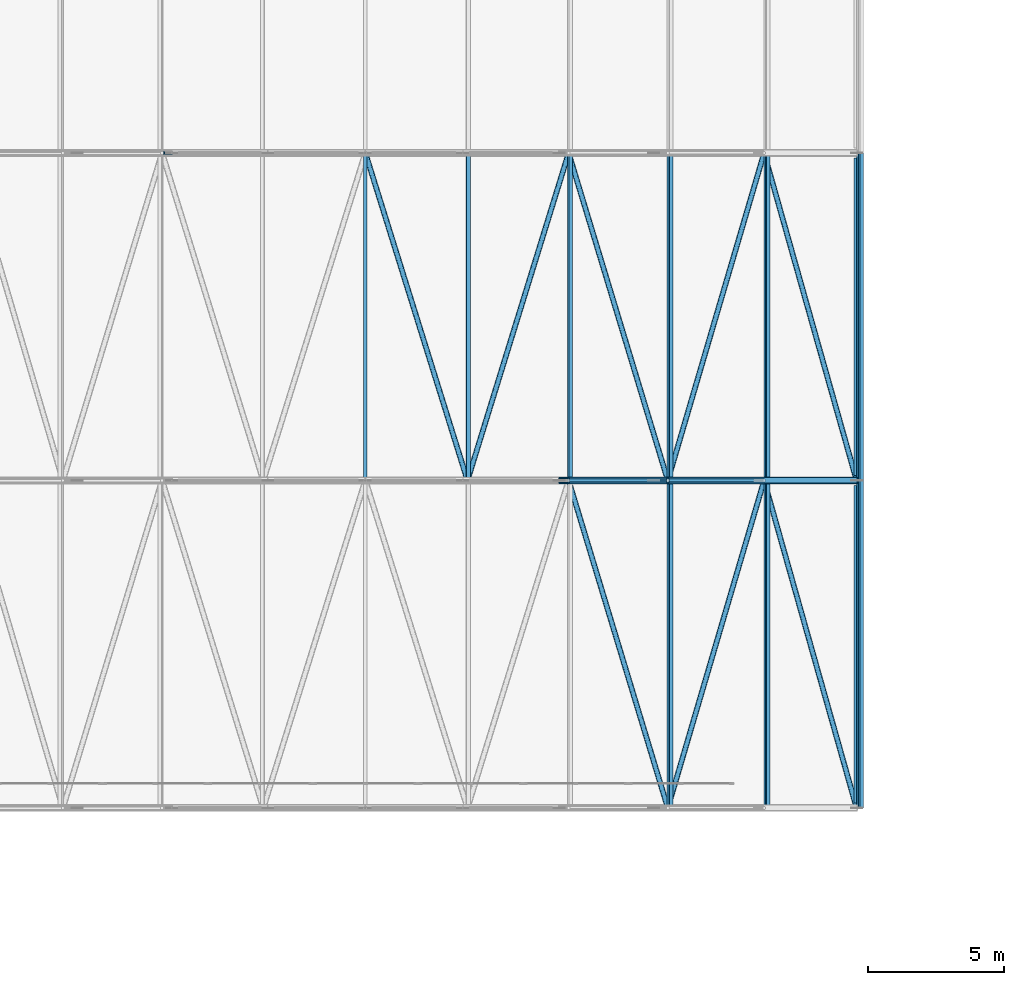
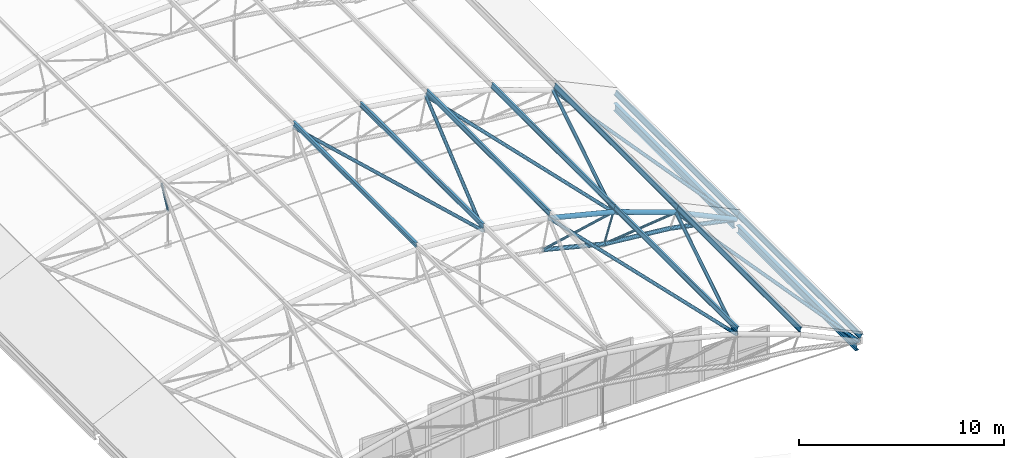
# One storey, part 212 of 321: 27 members, 2 beams.
"""IFC4 building model written with IfcOpenShell, lengths in metres."""

from ifc_helpers import new_model, si_unit, direction, frame, origin, origin_2d, place, context, subcontext, project, spatial, hollow_circle, i_section, extrude, material, material_profile, profile_set, type_object, element, save


model = new_model("IFC4")

# Units and contexts
model_context = context("Model", 3, precision=1e-05, world=origin(), true_north=direction((0.0, 1.0)))
body_context = subcontext(model_context, "Body", "Model", "MODEL_VIEW")
ifc_project = project(units=[si_unit("LENGTHUNIT", "METRE"), si_unit("AREAUNIT", "SQUARE_METRE"), si_unit("VOLUMEUNIT", "CUBIC_METRE"), si_unit("PLANEANGLEUNIT", "RADIAN"), si_unit("MASSUNIT", "GRAM", prefix="KILO")], contexts=[model_context])

# Site, building, storey
site_placement = place(None, origin())
site = spatial("IfcSite", under=ifc_project, at=site_placement, CompositionType="ELEMENT")
building_placement = place(site_placement, origin())
building = spatial("IfcBuilding", under=site, at=building_placement, Name="Ravi Spectrum Wholesale Market", CompositionType="ELEMENT")
storey_placement = place(building_placement, frame((0.0, 0.0, 10.800048828125)))
storey = spatial("IfcBuildingStorey", under=building, at=storey_placement, Name="L02", CompositionType="ELEMENT", Elevation=10.800048828125)

# Members
ifc_material_1 = material(Name="Steel S355", Category="steel")
ifc_material_profile_1 = material_profile(ifc_material_1, hollow_circle(Radius=0.05712890625, WallThickness=0.00390625, at=origin_2d()))
ifc_profile_set_1 = profile_set([ifc_material_profile_1], Name="Steel S355")
member_type_1 = type_object("IfcMemberType", Name="CHS 114.3x4 post", PredefinedType="POST", material=ifc_profile_set_1)
for number, where, z_axis, x_axis, name in (
    (1, (191.083251953125, 150.0, 2.859130859375), (-0.28969871245, 0.0, -0.957117890338), (0.0, -1.0, 0.0), "H3-MB-L02-068"),
    (2, (172.551513671875, 162.0, 3.767822265625), (0.194759682352, 0.0, -0.980850990788), (0.0, 1.0, 0.0), "H3-MB-L02-103"),
):
    element("IfcMember", number, at=place(storey_placement, frame(where, z_axis=z_axis, x_axis=x_axis)), inside=storey, type_object=member_type_1, Name=name, PredefinedType="POST", context=body_context, shape_type="SweptSolid", body=[
        extrude(hollow_circle(Radius=0.05712890625, WallThickness=0.00390625, at=origin_2d()), origin(), (0.0, 0.0, 1.0), 1.800048828125),
    ])
ifc_material_2 = material(Name="Steel S355", Category="steel")
ifc_material_profile_2 = material_profile(ifc_material_2, hollow_circle(Radius=0.06982421875, WallThickness=0.0048828125, at=origin_2d()))
ifc_profile_set_2 = profile_set([ifc_material_profile_2], Name="Steel S355")
member_type_2 = type_object("IfcMemberType", Name="CHS 139.7x5 brace", PredefinedType="BRACE", material=ifc_profile_set_2)
for number, where, z_axis, x_axis, name in (
    (3, (191.083251953125, 150.0, 2.859130859375), (-0.977654929292, 0.0, -0.210216172618), (0.0, -1.0, 0.0), "H3-MB-L02-076"),
    (4, (194.61181640625, 150.0, 1.59912109375), (-0.993531900469, 0.0, -0.113553347597), (0.0, -1.0, 0.0), "H3-MB-L02-077"),
):
    element("IfcMember", number, at=place(storey_placement, frame(where, z_axis=z_axis, x_axis=x_axis)), inside=storey, type_object=member_type_2, Name=name, PredefinedType="BRACE", context=body_context, shape_type="SweptSolid", body=[
        extrude(hollow_circle(Radius=0.06982421875, WallThickness=0.0048828125, at=origin_2d()), origin(), (0.0, 0.0, 1.0), 4.076416015625),
    ])
ifc_material_3 = material(Name="Steel S355", Category="steel")
ifc_material_profile_3 = material_profile(ifc_material_3, hollow_circle(Radius=0.096923828125, WallThickness=0.00634765625, at=origin_2d()))
ifc_profile_set_3 = profile_set([ifc_material_profile_3], Name="Steel S355")
member_type_3 = type_object("IfcMemberType", Name="CHS 193.7x6.3 brace", PredefinedType="BRACE", material=ifc_profile_set_3)
for number, where, z_axis, x_axis, name in (
    (5, (187.448486328125, 150.0, 3.767822265625), (0.289132354116, -0.954556251311, -0.072283088529), (0.957059770141, 0.289890662798, 0.0), "H3-MB-L02-252"),
    (6, (191.083251953125, 138.0, 2.859130859375), (0.280683416408, 0.954552776812, -0.100228818382), (-0.959383837191, 0.282103975401, 0.0), "H3-MB-L02-253"),
    (7, (194.61181640625, 150.0, 1.59912109375), (0.269517878367, -0.954557051268, -0.127204359656), (0.962374874633, 0.271725230106, 0.0), "H3-MB-L02-254"),
    (8, (180.0, 162.0, 4.5), (0.2976769651, -0.954554944454, -0.014604193486), (0.954656755657, 0.297708714818, 0.0), "H3-MB-L02-260"),
    (9, (183.7421875, 150.0, 4.31640625), (0.294822229277, 0.954555181704, -0.043637807074), (-0.955465341564, 0.295103339646, 0.0), "H3-MB-L02-261"),
    (10, (187.448486328125, 162.0, 3.767822265625), (0.289132354116, -0.954556251311, -0.072283088529), (0.957059770141, 0.289890662798, 0.0), "H3-MB-L02-262"),
    (11, (191.083251953125, 150.0, 2.859130859375), (0.280683416408, 0.954552776812, -0.100228818382), (-0.959383837191, 0.282103975401, 0.0), "H3-MB-L02-263"),
    (12, (194.61181640625, 162.0, 1.59912109375), (0.269517878367, -0.954557051268, -0.127204359656), (0.962374874633, 0.271725230106, 0.0), "H3-MB-L02-264"),
):
    element("IfcMember", number, at=place(storey_placement, frame(where, z_axis=z_axis, x_axis=x_axis)), inside=storey, type_object=member_type_3, Name=name, PredefinedType="BRACE", context=body_context, shape_type="SweptSolid", body=[
        extrude(hollow_circle(Radius=0.096923828125, WallThickness=0.00634765625, at=origin_2d()), origin(), (0.0, 0.0, 1.0), 12.5712890625),
    ])
ifc_material_4 = material(Name="Steel S355", Category="steel")
ifc_material_profile_4 = material_profile(ifc_material_4, hollow_circle(Radius=0.122314453125, WallThickness=0.008056640625, at=origin_2d()))
ifc_profile_set_4 = profile_set([ifc_material_profile_4], Name="Steel S355")
member_type_4 = type_object("IfcMemberType", Name="CHS 244.5x8 chord", PredefinedType="CHORD", material=ifc_profile_set_4)
member_1_placement = place(storey_placement, frame((187.097900390625, 150.0, 2.002197265625), z_axis=(0.970142500145, 0.0, -0.242535625036), x_axis=(0.0, 1.0, 0.0)))
element("IfcMember", 13, at=member_1_placement, inside=storey, type_object=member_type_4, Name="H3-MB-L02-058", PredefinedType="CHORD", context=body_context, shape_type="SweptSolid", body=[
    extrude(hollow_circle(Radius=0.122314453125, WallThickness=0.008056640625, at=origin_2d()), origin(), (0.0, 0.0, 1.0), 3.570556640625),
])
member_2_placement = place(storey_placement, frame((190.561767578125, 150.0, 1.13623046875), z_axis=(0.995082518714, 0.0, -0.099049386415), x_axis=(0.0, 1.0, 0.0)))
element("IfcMember", 14, at=member_2_placement, inside=storey, type_object=member_type_4, Name="H3-MB-L02-059", PredefinedType="CHORD", context=body_context, shape_type="SweptSolid", body=[
    extrude(hollow_circle(Radius=0.122314453125, WallThickness=0.008056640625, at=origin_2d()), origin(), (0.0, 0.0, 1.0), 3.724365234375),
])
member_3_placement = place(storey_placement, frame((194.267822265625, 150.0, 0.767333984375), z_axis=(0.979511723372, 0.0, -0.201387148987), x_axis=(0.0, 1.0, 0.0)))
element("IfcMember", 15, at=member_3_placement, inside=storey, type_object=member_type_4, Name="H3-MB-L02-060", PredefinedType="CHORD", context=body_context, shape_type="SweptSolid", body=[
    extrude(hollow_circle(Radius=0.122314453125, WallThickness=0.008056640625, at=origin_2d()), origin(), (0.0, 0.0, 1.0), 3.810302734375),
])
ifc_material_5 = material(Name="Steel S355", Category="steel")
ifc_material_profile_5 = material_profile(ifc_material_5, hollow_circle(Radius=0.136474609375, WallThickness=0.010009765625, at=origin_2d()))
ifc_profile_set_5 = profile_set([ifc_material_profile_5], Name="Steel S355")
member_type_5 = type_object("IfcMemberType", Name="CHS 273x10 chord", PredefinedType="CHORD", material=ifc_profile_set_5)
member_4_placement = place(storey_placement, frame((187.448486328125, 150.0, 3.767822265625), z_axis=(0.970142500145, 0.0, -0.242535625036), x_axis=(0.0, 1.0, 0.0)))
element("IfcMember", 16, at=member_4_placement, inside=storey, type_object=member_type_5, Name="H3-MB-L02-048", PredefinedType="CHORD", context=body_context, shape_type="SweptSolid", body=[
    extrude(hollow_circle(Radius=0.136474609375, WallThickness=0.010009765625, at=origin_2d()), origin(), (0.0, 0.0, 1.0), 3.74658203125),
])
member_5_placement = place(storey_placement, frame((191.083251953125, 150.0, 2.859130859375), z_axis=(0.941758126801, 0.0, -0.336290990965), x_axis=(0.0, 1.0, 0.0)))
element("IfcMember", 17, at=member_5_placement, inside=storey, type_object=member_type_5, Name="H3-MB-L02-049", PredefinedType="CHORD", context=body_context, shape_type="SweptSolid", body=[
    extrude(hollow_circle(Radius=0.136474609375, WallThickness=0.010009765625, at=origin_2d()), origin(), (0.0, 0.0, 1.0), 3.746826171875),
])
member_6_placement = place(storey_placement, frame((194.61181640625, 150.0, 1.59912109375), z_axis=(0.904336690514, 0.0, -0.426819809978), x_axis=(0.0, 1.0, 0.0)))
element("IfcMember", 18, at=member_6_placement, inside=storey, type_object=member_type_5, Name="H3-MB-L02-050", PredefinedType="CHORD", context=body_context, shape_type="SweptSolid", body=[
    extrude(hollow_circle(Radius=0.136474609375, WallThickness=0.010009765625, at=origin_2d()), origin(), (0.0, 0.0, 1.0), 3.74658203125),
])
ifc_material_6 = material(Name="Steel S355", Category="steel")
ifc_material_profile_6 = material_profile(ifc_material_6, i_section(OverallWidth=0.135009765625, OverallDepth=0.27001953125, WebThickness=0.006591796875, FlangeThickness=0.01025390625, at=origin_2d()))
ifc_profile_set_6 = profile_set([ifc_material_profile_6], Name="Steel S355")
member_type_6 = type_object("IfcMemberType", Name="IPE 270 purlin", PredefinedType="PURLIN", material=ifc_profile_set_6)
for number, where, z_axis, x_axis, name in (
    (19, (191.161865234375, 138.0, 3.118896484375), (0.0, 1.0, 0.0), (-0.957099823898, 0.0, 0.289758394347), "H3-MB-L02-209"),
    (20, (194.71533203125, 138.0, 1.85009765625), (0.0, 1.0, 0.0), (-0.924159872545, 0.0, 0.382005929244), "H3-MB-L02-210"),
    (21, (198.127685546875, 138.0, 0.239501953125), (0.0, 1.0, 0.0), (-0.88235294065, 0.0, 0.470588236282), "H3-MB-L02-211"),
    (22, (180.0, 150.0, 4.771484375), (0.0, 1.0, 0.0), (-1.0, 0.0, 0.0), "H3-MB-L02-217"),
    (23, (183.768798828125, 150.0, 4.586669921875), (0.0, 1.0, 0.0), (-0.995202677663, 0.0, 0.097834709449), "H3-MB-L02-218"),
    (24, (187.501220703125, 150.0, 4.033935546875), (0.0, 1.0, 0.0), (-0.980856735855, 0.0, 0.194730746744), "H3-MB-L02-219"),
    (25, (191.161865234375, 150.0, 3.118896484375), (0.0, 1.0, 0.0), (-0.957099823898, 0.0, 0.289758394347), "H3-MB-L02-220"),
    (26, (194.71533203125, 150.0, 1.85009765625), (0.0, 1.0, 0.0), (-0.924159872545, 0.0, 0.382005929244), "H3-MB-L02-221"),
    (27, (198.127685546875, 150.0, 0.239501953125), (0.0, 1.0, 0.0), (-0.88235294065, 0.0, 0.470588236282), "H3-MB-L02-222"),
):
    element("IfcMember", number, at=place(storey_placement, frame(where, z_axis=z_axis, x_axis=x_axis)), inside=storey, type_object=member_type_6, Name=name, PredefinedType="PURLIN", context=body_context, shape_type="SweptSolid", body=[
        extrude(i_section(OverallWidth=0.135009765625, OverallDepth=0.27001953125, WebThickness=0.006591796875, FlangeThickness=0.01025390625, at=origin_2d()), origin(), (0.0, 0.0, 1.0), 12.0),
    ])

# Beams
ifc_material_7 = material(Name="Steel S355", Category="steel")
ifc_material_profile_7 = material_profile(ifc_material_7, i_section(OverallWidth=0.18994140625, OverallDepth=0.449951171875, WebThickness=0.009521484375, FlangeThickness=0.0146484375, at=origin_2d()))
ifc_profile_set_7 = profile_set([ifc_material_profile_7], Name="Steel S355")
beam_type = type_object("IfcBeamType", Name="IPE 450 girder", PredefinedType="BEAM", material=ifc_profile_set_7)
for number, where, z_axis, x_axis, name in (
    (28, (198.0, 138.177734375, -0.425048828125), (0.0, 1.0, 0.0), (-1.0, 0.0, 0.0), "H3-BM-L02-005"),
    (29, (198.0, 150.177734375, -0.425048828125), (0.0, 1.0, 0.0), (-1.0, 0.0, 0.0), "H3-BM-L02-006"),
):
    element("IfcBeam", number, at=place(storey_placement, frame(where, z_axis=z_axis, x_axis=x_axis)), inside=storey, type_object=beam_type, Name=name, PredefinedType="BEAM", context=body_context, shape_type="SweptSolid", body=[
        extrude(i_section(OverallWidth=0.18994140625, OverallDepth=0.449951171875, WebThickness=0.009521484375, FlangeThickness=0.0146484375, at=origin_2d()), origin(), (0.0, 0.0, 1.0), 11.64453125),
    ])

save(model, "model.ifc")
